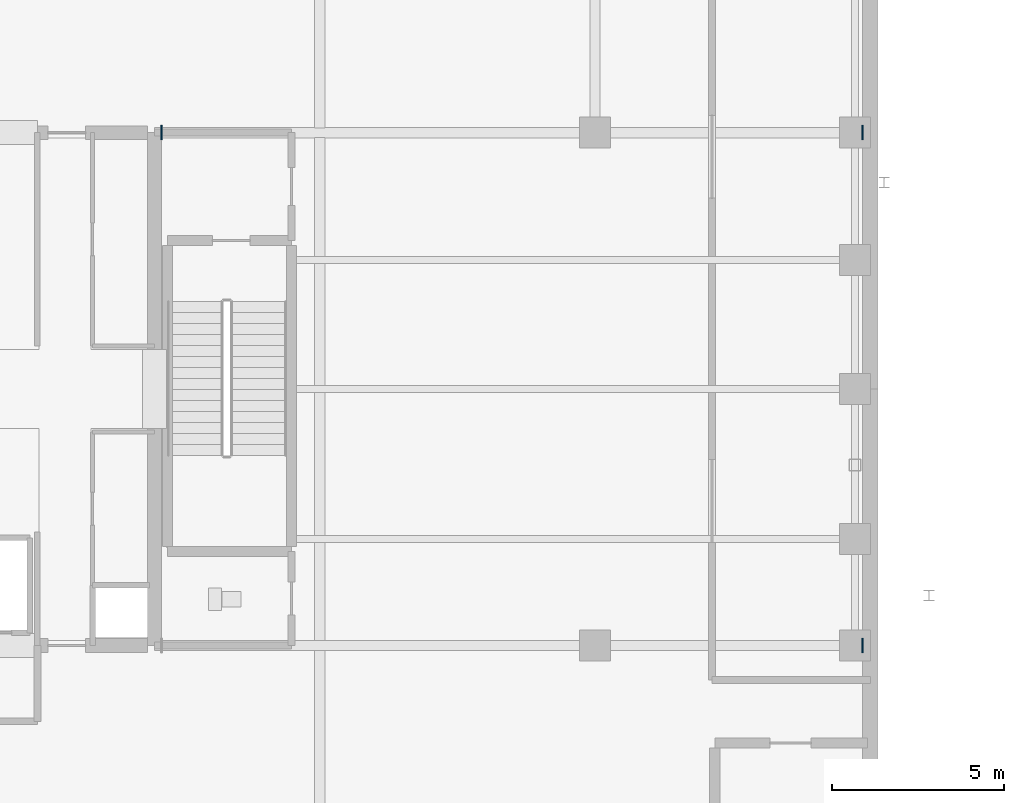
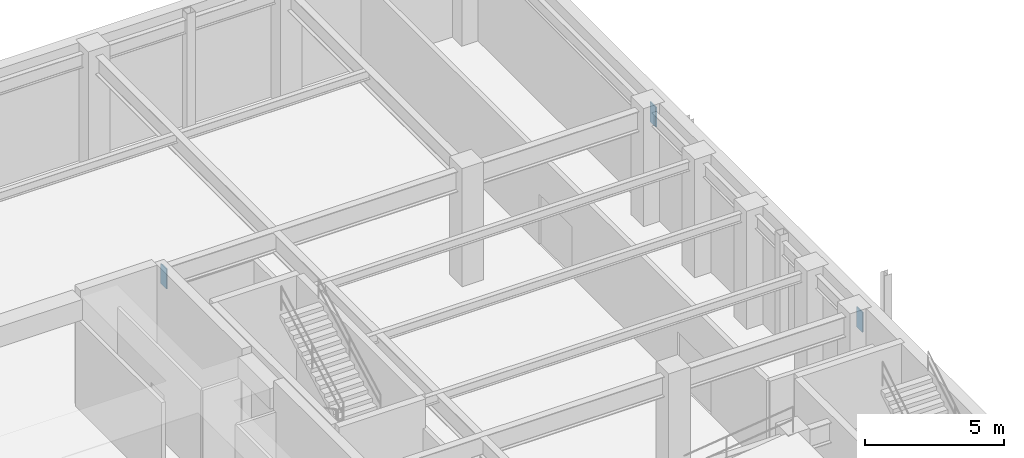
# One storey, part 10 of 16: 3 plates.
"""IFC4 building model written with IfcOpenShell, lengths in metres."""

from ifc_helpers import new_model, si_unit, direction, frame, origin, origin_2d, place, context, subcontext, project, spatial, rectangle, extrude, material, layer, layer_set, type_object, element, save


model = new_model("IFC4")

# Units and contexts
model_context = context("Model", 3, precision=1e-05, world=origin(), true_north=direction((0.0, 1.0)))
body_context = subcontext(model_context, "Body", "Model", "MODEL_VIEW")
ifc_project = project(units=[si_unit("LENGTHUNIT", "METRE"), si_unit("AREAUNIT", "SQUARE_METRE"), si_unit("VOLUMEUNIT", "CUBIC_METRE"), si_unit("PLANEANGLEUNIT", "RADIAN"), si_unit("MASSUNIT", "GRAM", prefix="KILO")], contexts=[model_context])

# Site, building, storey
site_placement = place(None, origin())
site = spatial("IfcSite", under=ifc_project, at=site_placement, CompositionType="ELEMENT")
building_placement = place(site_placement, origin())
building = spatial("IfcBuilding", under=site, at=building_placement, Name="Veldorina Hangang Commons", CompositionType="ELEMENT")
storey_placement = place(building_placement, frame((0.0, 0.0, -5.199951171875)))
storey = spatial("IfcBuildingStorey", under=building, at=storey_placement, Name="B01", CompositionType="ELEMENT", Elevation=-5.199951171875)

# Plates
ifc_material = material(Name="Steel SM490-TMC", Category="steel")
ifc_layer = layer(ifc_material, 0.044921875)
ifc_layer_set = layer_set([ifc_layer], Name="Steel SM490-TMC")
plate_type = type_object("IfcPlateType", Name="PL-NODE-45", PredefinedType="SHEET", material=ifc_layer_set)
for number, where, z_axis, x_axis, name in (
    (1, (59.77490234375, 16.550048828125, 4.010009765625), (0.0, 0.0, 1.0), (1.0, 0.0, 0.0), "B01 east collector girder GD wall embed plate"),
    (2, (39.39990234375, 31.449951171875, 4.010009765625), (0.0, 0.0, 1.0), (1.0, 0.0, 0.0), "B01 east collector girder GF core embed plate"),
    (3, (59.77490234375, 31.449951171875, 4.010009765625), (0.0, 0.0, 1.0), (1.0, 0.0, 0.0), "B01 east collector girder GF wall embed plate"),
):
    element("IfcPlate", number, at=place(storey_placement, frame(where, z_axis=z_axis, x_axis=x_axis)), inside=storey, type_object=plate_type, Name=name, PredefinedType="SHEET", context=body_context, shape_type="SweptSolid", body=[
        extrude(rectangle(XDim=0.044921875, YDim=0.419921875, at=origin_2d()), origin(), (0.0, 0.0, 1.0), 0.8798828125),
    ])

save(model, "model.ifc")
